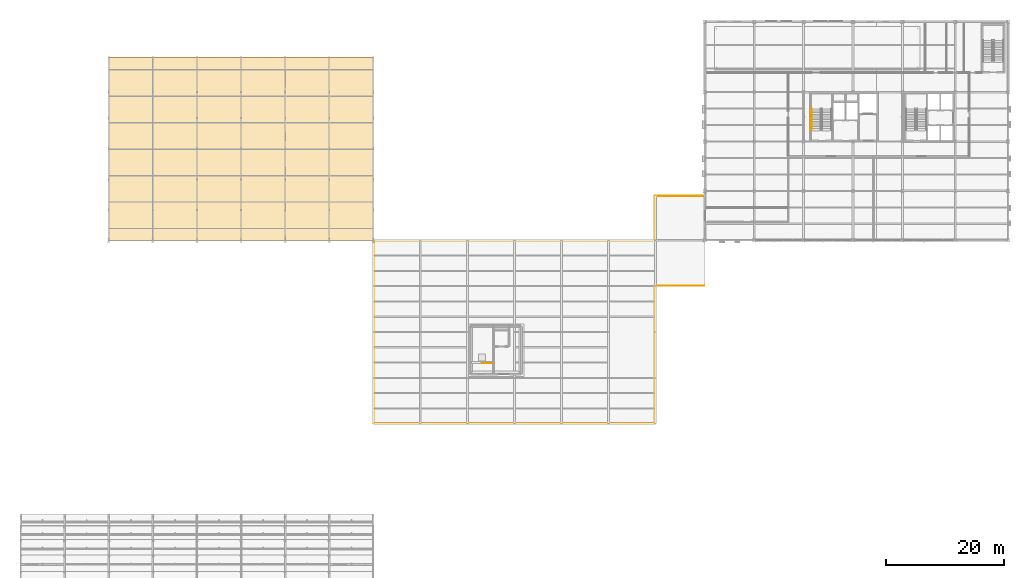
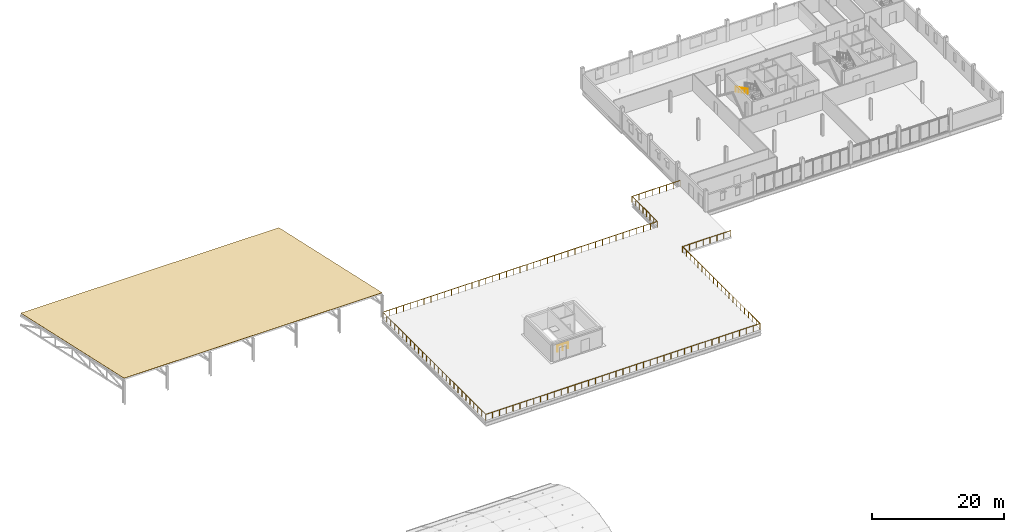
# One storey, part 74 of 77: 3 railings, 1 covering.
"""IFC4 building model written with IfcOpenShell, lengths in metres."""

from ifc_helpers import new_model, si_unit, direction, frame, origin, origin_2d, place, context, subcontext, project, spatial, polyline, circle, outline, extrude, material, layer, layer_set, type_object, element, save


model = new_model("IFC4")

# Units and contexts
model_context = context("Model", 3, precision=1e-05, world=origin(), true_north=direction((0.0, 1.0)))
body_context = subcontext(model_context, "Body", "Model", "MODEL_VIEW")
ifc_project = project(units=[si_unit("LENGTHUNIT", "METRE"), si_unit("AREAUNIT", "SQUARE_METRE"), si_unit("VOLUMEUNIT", "CUBIC_METRE"), si_unit("PLANEANGLEUNIT", "RADIAN"), si_unit("MASSUNIT", "GRAM", prefix="KILO")], contexts=[model_context])

# Site, building, storey
site_placement = place(None, origin())
site = spatial("IfcSite", under=ifc_project, at=site_placement, CompositionType="ELEMENT")
building_placement = place(site_placement, origin())
building = spatial("IfcBuilding", under=site, at=building_placement, Name="Yukiwa Park Conservatory and Herbarium", CompositionType="ELEMENT")
storey_placement = place(building_placement, frame((0.0, 0.0, 13.199951171875)))
storey = spatial("IfcBuildingStorey", under=building, at=storey_placement, Name="L03", CompositionType="ELEMENT", Elevation=13.199951171875)

# Covering
ifc_material_1 = material(Name="Roofing Membrane and PIR Insulation")
ifc_layer_1 = layer(ifc_material_1, 0.0400390625)
ifc_layer_set_1 = layer_set([ifc_layer_1], Name="Roofing Membrane and PIR Insulation")
covering_type = type_object("IfcCoveringType", Name="COV-ROOF-MEMBRANE", PredefinedType="ROOFING", material=ifc_layer_set_1)
covering_placement = place(storey_placement, frame((15.0, 78.0, 4.6728515625), z_axis=(0.0, 0.21643619583, 0.97629676489), x_axis=(1.0, 0.0, 0.0)))
element("IfcCovering", 1, at=covering_placement, inside=storey, type_object=covering_type, Name="Auditorium Wing insulated standing-seam roof covering", PredefinedType="ROOFING", context=body_context, shape_type="SweptSolid", body=[
    extrude(outline(polyline([(0.0, 0.0), (45.0, 0.0), (45.0, 31.957446028607063), (0.0, 31.957446028607063), (0.0, 0.0)])), origin(), (0.0, 0.0, -1.0), 0.0400390625),
])

# Railings
ifc_material_2 = material(Name="Steel Q235B", Category="steel")
ifc_layer_2 = layer(ifc_material_2, 0.050048828125)
ifc_layer_set_2 = layer_set([ifc_layer_2], Name="Steel Q235B")
railing_type_1 = type_object("IfcRailingType", Name="RL-STAIR-GUARD-1120", PredefinedType="BALUSTRADE", material=ifc_layer_set_2)
railing_1_placement = place(storey_placement, frame((80.35009765625, 57.10009765625, 0.0)))
element("IfcRailing", 2, at=railing_1_placement, inside=storey, type_object=railing_type_1, Name="L03 ST-V1 top well guard 1", PredefinedType="BALUSTRADE", context=body_context, shape_type="SweptSolid", body=[
    extrude(circle(Radius=0.02392578125, at=origin_2d()), frame((0.0, 0.0, 1.09619140625), z_axis=(-1.0, 0.0, 0.0), x_axis=(0.0, -1.0, 0.0)), (0.0, 0.0, 1.0), 1.85009765625),
    extrude(circle(Radius=0.02099609375, at=origin_2d()), origin(), (0.0, 0.0, 1.0), 1.072021484375),
    extrude(circle(Radius=0.02099609375, at=origin_2d()), frame((-0.925048828125, 0.0, 0.0)), (0.0, 0.0, 1.0), 1.072021484375),
    extrude(circle(Radius=0.02099609375, at=origin_2d()), frame((-1.85009765625, 0.0, 0.0)), (0.0, 0.0, 1.0), 1.072021484375),
])
ifc_material_3 = material(Name="Steel Q235B", Category="steel")
ifc_layer_3 = layer(ifc_material_3, 0.044921875)
ifc_layer_set_3 = layer_set([ifc_layer_3], Name="Steel Q235B")
railing_type_2 = type_object("IfcRailingType", Name="RL-STAIR-RAIL-900", PredefinedType="HANDRAIL", material=ifc_layer_set_3)
railing_2_placement = place(storey_placement, frame((134.5400390625, 100.330078125, 2.10009765625)))
element("IfcRailing", 3, at=railing_2_placement, inside=storey, type_object=railing_type_2, Name="L03 ST-T1 stair handrail 2", PredefinedType="HANDRAIL", context=body_context, shape_type="SweptSolid", body=[
    extrude(circle(Radius=0.02392578125, at=origin_2d()), frame((0.0, 0.0, 0.8759765625), z_axis=(0.0, -0.894427191, 0.4472135955), x_axis=(1.0, 0.0, 0.0)), (0.0, 0.0, 1.0), 4.025146484375),
    extrude(circle(Radius=0.02099609375, at=origin_2d()), origin(), (0.0, 0.0, 1.0), 0.851806640625),
    extrude(circle(Radius=0.02099609375, at=origin_2d()), frame((0.0, -0.89990234375, 0.449951171875)), (0.0, 0.0, 1.0), 0.851806640625),
    extrude(circle(Radius=0.02099609375, at=origin_2d()), frame((0.0, -1.800048828125, 0.89990234375)), (0.0, 0.0, 1.0), 0.851806640625),
    extrude(circle(Radius=0.02099609375, at=origin_2d()), frame((0.0, -2.7001953125, 1.35009765625)), (0.0, 0.0, 1.0), 0.851806640625),
    extrude(circle(Radius=0.02099609375, at=origin_2d()), frame((0.0, -3.60009765625, 1.800048828125)), (0.0, 0.0, 1.0), 0.851806640625),
])
ifc_material_4 = material(Name="Steel Q235B", Category="steel")
ifc_layer_4 = layer(ifc_material_4, 0.06005859375)
ifc_layer_set_4 = layer_set([ifc_layer_4], Name="Steel Q235B")
railing_type_3 = type_object("IfcRailingType", Name="RL-TERRACE-GUARD-1120", PredefinedType="BALUSTRADE", material=ifc_layer_set_4)
railing_3_placement = place(storey_placement, frame((116.300048828125, 85.52001953125, 0.0)))
element("IfcRailing", 4, at=railing_3_placement, inside=storey, type_object=railing_type_3, Name="L03 outdoor terrace guard balustrade RL-TER-L03-MAIN", PredefinedType="BALUSTRADE", context=body_context, shape_type="SweptSolid", body=[
    extrude(circle(Radius=0.02392578125, at=origin_2d()), frame((0.0, 0.0, 1.09619140625), z_axis=(-1.0, 0.0, 0.0), x_axis=(0.0, -1.0, 0.0)), (0.0, 0.0, 1.0), 8.380126953125),
    extrude(circle(Radius=0.02392578125, at=origin_2d()), frame((-8.380126953125, 0.0, 1.09619140625), z_axis=(0.0, -1.0, 0.0), x_axis=(1.0, 0.0, 0.0)), (0.0, 0.0, 1.0), 7.60009765625),
    extrude(circle(Radius=0.02392578125, at=origin_2d()), frame((-8.380126953125, -7.60009765625, 1.09619140625), z_axis=(-1.0, 0.0, 0.0), x_axis=(0.0, -1.0, 0.0)), (0.0, 0.0, 1.0), 47.83984375),
    extrude(circle(Radius=0.02392578125, at=origin_2d()), frame((-56.219970703125, -7.60009765625, 1.09619140625), z_axis=(0.0, -1.0, 0.0), x_axis=(1.0, 0.0, 0.0)), (0.0, 0.0, 1.0), 31.0400390625),
    extrude(circle(Radius=0.02392578125, at=origin_2d()), frame((-56.219970703125, -38.64013671875, 1.09619140625), z_axis=(1.0, 0.0, 0.0), x_axis=(0.0, 1.0, 0.0)), (0.0, 0.0, 1.0), 47.83984375),
    extrude(circle(Radius=0.02392578125, at=origin_2d()), frame((-8.380126953125, -38.64013671875, 1.09619140625), z_axis=(0.0, 1.0, 0.0), x_axis=(-1.0, 0.0, 0.0)), (0.0, 0.0, 1.0), 23.400146484375),
    extrude(circle(Radius=0.02392578125, at=origin_2d()), frame((-8.380126953125, -15.239990234375, 1.09619140625), z_axis=(1.0, 0.0, 0.0), x_axis=(0.0, 1.0, 0.0)), (0.0, 0.0, 1.0), 8.380126953125),
    extrude(circle(Radius=0.02099609375, at=origin_2d()), origin(), (0.0, 0.0, 1.0), 1.072021484375),
    extrude(circle(Radius=0.02099609375, at=origin_2d()), frame((-1.197265625, 0.0, 0.0)), (0.0, 0.0, 1.0), 1.072021484375),
    extrude(circle(Radius=0.02099609375, at=origin_2d()), frame((-2.394287109375, 0.0, 0.0)), (0.0, 0.0, 1.0), 1.072021484375),
    extrude(circle(Radius=0.02099609375, at=origin_2d()), frame((-3.591552734375, 0.0, 0.0)), (0.0, 0.0, 1.0), 1.072021484375),
    extrude(circle(Radius=0.02099609375, at=origin_2d()), frame((-4.78857421875, 0.0, 0.0)), (0.0, 0.0, 1.0), 1.072021484375),
    extrude(circle(Radius=0.02099609375, at=origin_2d()), frame((-5.98583984375, 0.0, 0.0)), (0.0, 0.0, 1.0), 1.072021484375),
    extrude(circle(Radius=0.02099609375, at=origin_2d()), frame((-7.182861328125, 0.0, 0.0)), (0.0, 0.0, 1.0), 1.072021484375),
    extrude(circle(Radius=0.02099609375, at=origin_2d()), frame((-8.380126953125, 0.0, 0.0)), (0.0, 0.0, 1.0), 1.072021484375),
    extrude(circle(Radius=0.02099609375, at=origin_2d()), frame((-8.380126953125, -1.085693359375, 0.0)), (0.0, 0.0, 1.0), 1.072021484375),
    extrude(circle(Radius=0.02099609375, at=origin_2d()), frame((-8.380126953125, -2.17138671875, 0.0)), (0.0, 0.0, 1.0), 1.072021484375),
    extrude(circle(Radius=0.02099609375, at=origin_2d()), frame((-8.380126953125, -3.257080078125, 0.0)), (0.0, 0.0, 1.0), 1.072021484375),
    extrude(circle(Radius=0.02099609375, at=origin_2d()), frame((-8.380126953125, -4.343017578125, 0.0)), (0.0, 0.0, 1.0), 1.072021484375),
    extrude(circle(Radius=0.02099609375, at=origin_2d()), frame((-8.380126953125, -5.4287109375, 0.0)), (0.0, 0.0, 1.0), 1.072021484375),
    extrude(circle(Radius=0.02099609375, at=origin_2d()), frame((-8.380126953125, -6.514404296875, 0.0)), (0.0, 0.0, 1.0), 1.072021484375),
    extrude(circle(Radius=0.02099609375, at=origin_2d()), frame((-8.380126953125, -7.60009765625, 0.0)), (0.0, 0.0, 1.0), 1.072021484375),
    extrude(circle(Radius=0.02099609375, at=origin_2d()), frame((-9.576171875, -7.60009765625, 0.0)), (0.0, 0.0, 1.0), 1.072021484375),
    extrude(circle(Radius=0.02099609375, at=origin_2d()), frame((-10.772216796875, -7.60009765625, 0.0)), (0.0, 0.0, 1.0), 1.072021484375),
    extrude(circle(Radius=0.02099609375, at=origin_2d()), frame((-11.968017578125, -7.60009765625, 0.0)), (0.0, 0.0, 1.0), 1.072021484375),
    extrude(circle(Radius=0.02099609375, at=origin_2d()), frame((-13.1640625, -7.60009765625, 0.0)), (0.0, 0.0, 1.0), 1.072021484375),
    extrude(circle(Radius=0.02099609375, at=origin_2d()), frame((-14.360107421875, -7.60009765625, 0.0)), (0.0, 0.0, 1.0), 1.072021484375),
    extrude(circle(Radius=0.02099609375, at=origin_2d()), frame((-15.55615234375, -7.60009765625, 0.0)), (0.0, 0.0, 1.0), 1.072021484375),
    extrude(circle(Radius=0.02099609375, at=origin_2d()), frame((-16.752197265625, -7.60009765625, 0.0)), (0.0, 0.0, 1.0), 1.072021484375),
    extrude(circle(Radius=0.02099609375, at=origin_2d()), frame((-17.947998046875, -7.60009765625, 0.0)), (0.0, 0.0, 1.0), 1.072021484375),
    extrude(circle(Radius=0.02099609375, at=origin_2d()), frame((-19.14404296875, -7.60009765625, 0.0)), (0.0, 0.0, 1.0), 1.072021484375),
    extrude(circle(Radius=0.02099609375, at=origin_2d()), frame((-20.340087890625, -7.60009765625, 0.0)), (0.0, 0.0, 1.0), 1.072021484375),
    extrude(circle(Radius=0.02099609375, at=origin_2d()), frame((-21.5361328125, -7.60009765625, 0.0)), (0.0, 0.0, 1.0), 1.072021484375),
    extrude(circle(Radius=0.02099609375, at=origin_2d()), frame((-22.732177734375, -7.60009765625, 0.0)), (0.0, 0.0, 1.0), 1.072021484375),
    extrude(circle(Radius=0.02099609375, at=origin_2d()), frame((-23.927978515625, -7.60009765625, 0.0)), (0.0, 0.0, 1.0), 1.072021484375),
    extrude(circle(Radius=0.02099609375, at=origin_2d()), frame((-25.1240234375, -7.60009765625, 0.0)), (0.0, 0.0, 1.0), 1.072021484375),
    extrude(circle(Radius=0.02099609375, at=origin_2d()), frame((-26.320068359375, -7.60009765625, 0.0)), (0.0, 0.0, 1.0), 1.072021484375),
    extrude(circle(Radius=0.02099609375, at=origin_2d()), frame((-27.51611328125, -7.60009765625, 0.0)), (0.0, 0.0, 1.0), 1.072021484375),
    extrude(circle(Radius=0.02099609375, at=origin_2d()), frame((-28.712158203125, -7.60009765625, 0.0)), (0.0, 0.0, 1.0), 1.072021484375),
    extrude(circle(Radius=0.02099609375, at=origin_2d()), frame((-29.907958984375, -7.60009765625, 0.0)), (0.0, 0.0, 1.0), 1.072021484375),
    extrude(circle(Radius=0.02099609375, at=origin_2d()), frame((-31.10400390625, -7.60009765625, 0.0)), (0.0, 0.0, 1.0), 1.072021484375),
    extrude(circle(Radius=0.02099609375, at=origin_2d()), frame((-32.300048828125, -7.60009765625, 0.0)), (0.0, 0.0, 1.0), 1.072021484375),
    extrude(circle(Radius=0.02099609375, at=origin_2d()), frame((-33.49609375, -7.60009765625, 0.0)), (0.0, 0.0, 1.0), 1.072021484375),
    extrude(circle(Radius=0.02099609375, at=origin_2d()), frame((-34.692138671875, -7.60009765625, 0.0)), (0.0, 0.0, 1.0), 1.072021484375),
    extrude(circle(Radius=0.02099609375, at=origin_2d()), frame((-35.887939453125, -7.60009765625, 0.0)), (0.0, 0.0, 1.0), 1.072021484375),
    extrude(circle(Radius=0.02099609375, at=origin_2d()), frame((-37.083984375, -7.60009765625, 0.0)), (0.0, 0.0, 1.0), 1.072021484375),
    extrude(circle(Radius=0.02099609375, at=origin_2d()), frame((-38.280029296875, -7.60009765625, 0.0)), (0.0, 0.0, 1.0), 1.072021484375),
    extrude(circle(Radius=0.02099609375, at=origin_2d()), frame((-39.47607421875, -7.60009765625, 0.0)), (0.0, 0.0, 1.0), 1.072021484375),
    extrude(circle(Radius=0.02099609375, at=origin_2d()), frame((-40.672119140625, -7.60009765625, 0.0)), (0.0, 0.0, 1.0), 1.072021484375),
    extrude(circle(Radius=0.02099609375, at=origin_2d()), frame((-41.867919921875, -7.60009765625, 0.0)), (0.0, 0.0, 1.0), 1.072021484375),
    extrude(circle(Radius=0.02099609375, at=origin_2d()), frame((-43.06396484375, -7.60009765625, 0.0)), (0.0, 0.0, 1.0), 1.072021484375),
    extrude(circle(Radius=0.02099609375, at=origin_2d()), frame((-44.260009765625, -7.60009765625, 0.0)), (0.0, 0.0, 1.0), 1.072021484375),
    extrude(circle(Radius=0.02099609375, at=origin_2d()), frame((-45.4560546875, -7.60009765625, 0.0)), (0.0, 0.0, 1.0), 1.072021484375),
    extrude(circle(Radius=0.02099609375, at=origin_2d()), frame((-46.652099609375, -7.60009765625, 0.0)), (0.0, 0.0, 1.0), 1.072021484375),
    extrude(circle(Radius=0.02099609375, at=origin_2d()), frame((-47.847900390625, -7.60009765625, 0.0)), (0.0, 0.0, 1.0), 1.072021484375),
    extrude(circle(Radius=0.02099609375, at=origin_2d()), frame((-49.0439453125, -7.60009765625, 0.0)), (0.0, 0.0, 1.0), 1.072021484375),
    extrude(circle(Radius=0.02099609375, at=origin_2d()), frame((-50.239990234375, -7.60009765625, 0.0)), (0.0, 0.0, 1.0), 1.072021484375),
    extrude(circle(Radius=0.02099609375, at=origin_2d()), frame((-51.43603515625, -7.60009765625, 0.0)), (0.0, 0.0, 1.0), 1.072021484375),
    extrude(circle(Radius=0.02099609375, at=origin_2d()), frame((-52.632080078125, -7.60009765625, 0.0)), (0.0, 0.0, 1.0), 1.072021484375),
    extrude(circle(Radius=0.02099609375, at=origin_2d()), frame((-53.827880859375, -7.60009765625, 0.0)), (0.0, 0.0, 1.0), 1.072021484375),
    extrude(circle(Radius=0.02099609375, at=origin_2d()), frame((-55.02392578125, -7.60009765625, 0.0)), (0.0, 0.0, 1.0), 1.072021484375),
    extrude(circle(Radius=0.02099609375, at=origin_2d()), frame((-56.219970703125, -7.60009765625, 0.0)), (0.0, 0.0, 1.0), 1.072021484375),
    extrude(circle(Radius=0.02099609375, at=origin_2d()), frame((-56.219970703125, -8.7939453125, 0.0)), (0.0, 0.0, 1.0), 1.072021484375),
    extrude(circle(Radius=0.02099609375, at=origin_2d()), frame((-56.219970703125, -9.98779296875, 0.0)), (0.0, 0.0, 1.0), 1.072021484375),
    extrude(circle(Radius=0.02099609375, at=origin_2d()), frame((-56.219970703125, -11.181640625, 0.0)), (0.0, 0.0, 1.0), 1.072021484375),
    extrude(circle(Radius=0.02099609375, at=origin_2d()), frame((-56.219970703125, -12.37548828125, 0.0)), (0.0, 0.0, 1.0), 1.072021484375),
    extrude(circle(Radius=0.02099609375, at=origin_2d()), frame((-56.219970703125, -13.5693359375, 0.0)), (0.0, 0.0, 1.0), 1.072021484375),
    extrude(circle(Radius=0.02099609375, at=origin_2d()), frame((-56.219970703125, -14.76318359375, 0.0)), (0.0, 0.0, 1.0), 1.072021484375),
    extrude(circle(Radius=0.02099609375, at=origin_2d()), frame((-56.219970703125, -15.95703125, 0.0)), (0.0, 0.0, 1.0), 1.072021484375),
    extrude(circle(Radius=0.02099609375, at=origin_2d()), frame((-56.219970703125, -17.15087890625, 0.0)), (0.0, 0.0, 1.0), 1.072021484375),
    extrude(circle(Radius=0.02099609375, at=origin_2d()), frame((-56.219970703125, -18.3447265625, 0.0)), (0.0, 0.0, 1.0), 1.072021484375),
    extrude(circle(Radius=0.02099609375, at=origin_2d()), frame((-56.219970703125, -19.53857421875, 0.0)), (0.0, 0.0, 1.0), 1.072021484375),
    extrude(circle(Radius=0.02099609375, at=origin_2d()), frame((-56.219970703125, -20.732421875, 0.0)), (0.0, 0.0, 1.0), 1.072021484375),
    extrude(circle(Radius=0.02099609375, at=origin_2d()), frame((-56.219970703125, -21.92626953125, 0.0)), (0.0, 0.0, 1.0), 1.072021484375),
    extrude(circle(Radius=0.02099609375, at=origin_2d()), frame((-56.219970703125, -23.1201171875, 0.0)), (0.0, 0.0, 1.0), 1.072021484375),
    extrude(circle(Radius=0.02099609375, at=origin_2d()), frame((-56.219970703125, -24.31396484375, 0.0)), (0.0, 0.0, 1.0), 1.072021484375),
    extrude(circle(Radius=0.02099609375, at=origin_2d()), frame((-56.219970703125, -25.5078125, 0.0)), (0.0, 0.0, 1.0), 1.072021484375),
    extrude(circle(Radius=0.02099609375, at=origin_2d()), frame((-56.219970703125, -26.70166015625, 0.0)), (0.0, 0.0, 1.0), 1.072021484375),
    extrude(circle(Radius=0.02099609375, at=origin_2d()), frame((-56.219970703125, -27.8955078125, 0.0)), (0.0, 0.0, 1.0), 1.072021484375),
    extrude(circle(Radius=0.02099609375, at=origin_2d()), frame((-56.219970703125, -29.08935546875, 0.0)), (0.0, 0.0, 1.0), 1.072021484375),
    extrude(circle(Radius=0.02099609375, at=origin_2d()), frame((-56.219970703125, -30.283203125, 0.0)), (0.0, 0.0, 1.0), 1.072021484375),
    extrude(circle(Radius=0.02099609375, at=origin_2d()), frame((-56.219970703125, -31.47705078125, 0.0)), (0.0, 0.0, 1.0), 1.072021484375),
    extrude(circle(Radius=0.02099609375, at=origin_2d()), frame((-56.219970703125, -32.6708984375, 0.0)), (0.0, 0.0, 1.0), 1.072021484375),
    extrude(circle(Radius=0.02099609375, at=origin_2d()), frame((-56.219970703125, -33.86474609375, 0.0)), (0.0, 0.0, 1.0), 1.072021484375),
    extrude(circle(Radius=0.02099609375, at=origin_2d()), frame((-56.219970703125, -35.05859375, 0.0)), (0.0, 0.0, 1.0), 1.072021484375),
    extrude(circle(Radius=0.02099609375, at=origin_2d()), frame((-56.219970703125, -36.25244140625, 0.0)), (0.0, 0.0, 1.0), 1.072021484375),
    extrude(circle(Radius=0.02099609375, at=origin_2d()), frame((-56.219970703125, -37.4462890625, 0.0)), (0.0, 0.0, 1.0), 1.072021484375),
    extrude(circle(Radius=0.02099609375, at=origin_2d()), frame((-56.219970703125, -38.64013671875, 0.0)), (0.0, 0.0, 1.0), 1.072021484375),
    extrude(circle(Radius=0.02099609375, at=origin_2d()), frame((-55.02392578125, -38.64013671875, 0.0)), (0.0, 0.0, 1.0), 1.072021484375),
    extrude(circle(Radius=0.02099609375, at=origin_2d()), frame((-53.827880859375, -38.64013671875, 0.0)), (0.0, 0.0, 1.0), 1.072021484375),
    extrude(circle(Radius=0.02099609375, at=origin_2d()), frame((-52.632080078125, -38.64013671875, 0.0)), (0.0, 0.0, 1.0), 1.072021484375),
    extrude(circle(Radius=0.02099609375, at=origin_2d()), frame((-51.43603515625, -38.64013671875, 0.0)), (0.0, 0.0, 1.0), 1.072021484375),
    extrude(circle(Radius=0.02099609375, at=origin_2d()), frame((-50.239990234375, -38.64013671875, 0.0)), (0.0, 0.0, 1.0), 1.072021484375),
    extrude(circle(Radius=0.02099609375, at=origin_2d()), frame((-49.0439453125, -38.64013671875, 0.0)), (0.0, 0.0, 1.0), 1.072021484375),
    extrude(circle(Radius=0.02099609375, at=origin_2d()), frame((-47.847900390625, -38.64013671875, 0.0)), (0.0, 0.0, 1.0), 1.072021484375),
    extrude(circle(Radius=0.02099609375, at=origin_2d()), frame((-46.652099609375, -38.64013671875, 0.0)), (0.0, 0.0, 1.0), 1.072021484375),
    extrude(circle(Radius=0.02099609375, at=origin_2d()), frame((-45.4560546875, -38.64013671875, 0.0)), (0.0, 0.0, 1.0), 1.072021484375),
    extrude(circle(Radius=0.02099609375, at=origin_2d()), frame((-44.260009765625, -38.64013671875, 0.0)), (0.0, 0.0, 1.0), 1.072021484375),
    extrude(circle(Radius=0.02099609375, at=origin_2d()), frame((-43.06396484375, -38.64013671875, 0.0)), (0.0, 0.0, 1.0), 1.072021484375),
    extrude(circle(Radius=0.02099609375, at=origin_2d()), frame((-41.867919921875, -38.64013671875, 0.0)), (0.0, 0.0, 1.0), 1.072021484375),
    extrude(circle(Radius=0.02099609375, at=origin_2d()), frame((-40.672119140625, -38.64013671875, 0.0)), (0.0, 0.0, 1.0), 1.072021484375),
    extrude(circle(Radius=0.02099609375, at=origin_2d()), frame((-39.47607421875, -38.64013671875, 0.0)), (0.0, 0.0, 1.0), 1.072021484375),
    extrude(circle(Radius=0.02099609375, at=origin_2d()), frame((-38.280029296875, -38.64013671875, 0.0)), (0.0, 0.0, 1.0), 1.072021484375),
    extrude(circle(Radius=0.02099609375, at=origin_2d()), frame((-37.083984375, -38.64013671875, 0.0)), (0.0, 0.0, 1.0), 1.072021484375),
    extrude(circle(Radius=0.02099609375, at=origin_2d()), frame((-35.887939453125, -38.64013671875, 0.0)), (0.0, 0.0, 1.0), 1.072021484375),
    extrude(circle(Radius=0.02099609375, at=origin_2d()), frame((-34.692138671875, -38.64013671875, 0.0)), (0.0, 0.0, 1.0), 1.072021484375),
    extrude(circle(Radius=0.02099609375, at=origin_2d()), frame((-33.49609375, -38.64013671875, 0.0)), (0.0, 0.0, 1.0), 1.072021484375),
    extrude(circle(Radius=0.02099609375, at=origin_2d()), frame((-32.300048828125, -38.64013671875, 0.0)), (0.0, 0.0, 1.0), 1.072021484375),
    extrude(circle(Radius=0.02099609375, at=origin_2d()), frame((-31.10400390625, -38.64013671875, 0.0)), (0.0, 0.0, 1.0), 1.072021484375),
    extrude(circle(Radius=0.02099609375, at=origin_2d()), frame((-29.907958984375, -38.64013671875, 0.0)), (0.0, 0.0, 1.0), 1.072021484375),
    extrude(circle(Radius=0.02099609375, at=origin_2d()), frame((-28.712158203125, -38.64013671875, 0.0)), (0.0, 0.0, 1.0), 1.072021484375),
    extrude(circle(Radius=0.02099609375, at=origin_2d()), frame((-27.51611328125, -38.64013671875, 0.0)), (0.0, 0.0, 1.0), 1.072021484375),
    extrude(circle(Radius=0.02099609375, at=origin_2d()), frame((-26.320068359375, -38.64013671875, 0.0)), (0.0, 0.0, 1.0), 1.072021484375),
    extrude(circle(Radius=0.02099609375, at=origin_2d()), frame((-25.1240234375, -38.64013671875, 0.0)), (0.0, 0.0, 1.0), 1.072021484375),
    extrude(circle(Radius=0.02099609375, at=origin_2d()), frame((-23.927978515625, -38.64013671875, 0.0)), (0.0, 0.0, 1.0), 1.072021484375),
    extrude(circle(Radius=0.02099609375, at=origin_2d()), frame((-22.732177734375, -38.64013671875, 0.0)), (0.0, 0.0, 1.0), 1.072021484375),
    extrude(circle(Radius=0.02099609375, at=origin_2d()), frame((-21.5361328125, -38.64013671875, 0.0)), (0.0, 0.0, 1.0), 1.072021484375),
    extrude(circle(Radius=0.02099609375, at=origin_2d()), frame((-20.340087890625, -38.64013671875, 0.0)), (0.0, 0.0, 1.0), 1.072021484375),
    extrude(circle(Radius=0.02099609375, at=origin_2d()), frame((-19.14404296875, -38.64013671875, 0.0)), (0.0, 0.0, 1.0), 1.072021484375),
    extrude(circle(Radius=0.02099609375, at=origin_2d()), frame((-17.947998046875, -38.64013671875, 0.0)), (0.0, 0.0, 1.0), 1.072021484375),
    extrude(circle(Radius=0.02099609375, at=origin_2d()), frame((-16.752197265625, -38.64013671875, 0.0)), (0.0, 0.0, 1.0), 1.072021484375),
    extrude(circle(Radius=0.02099609375, at=origin_2d()), frame((-15.55615234375, -38.64013671875, 0.0)), (0.0, 0.0, 1.0), 1.072021484375),
    extrude(circle(Radius=0.02099609375, at=origin_2d()), frame((-14.360107421875, -38.64013671875, 0.0)), (0.0, 0.0, 1.0), 1.072021484375),
    extrude(circle(Radius=0.02099609375, at=origin_2d()), frame((-13.1640625, -38.64013671875, 0.0)), (0.0, 0.0, 1.0), 1.072021484375),
    extrude(circle(Radius=0.02099609375, at=origin_2d()), frame((-11.968017578125, -38.64013671875, 0.0)), (0.0, 0.0, 1.0), 1.072021484375),
    extrude(circle(Radius=0.02099609375, at=origin_2d()), frame((-10.772216796875, -38.64013671875, 0.0)), (0.0, 0.0, 1.0), 1.072021484375),
    extrude(circle(Radius=0.02099609375, at=origin_2d()), frame((-9.576171875, -38.64013671875, 0.0)), (0.0, 0.0, 1.0), 1.072021484375),
    extrude(circle(Radius=0.02099609375, at=origin_2d()), frame((-8.380126953125, -38.64013671875, 0.0)), (0.0, 0.0, 1.0), 1.072021484375),
    extrude(circle(Radius=0.02099609375, at=origin_2d()), frame((-8.380126953125, -37.47021484375, 0.0)), (0.0, 0.0, 1.0), 1.072021484375),
    extrude(circle(Radius=0.02099609375, at=origin_2d()), frame((-8.380126953125, -36.300048828125, 0.0)), (0.0, 0.0, 1.0), 1.072021484375),
    extrude(circle(Radius=0.02099609375, at=origin_2d()), frame((-8.380126953125, -35.130126953125, 0.0)), (0.0, 0.0, 1.0), 1.072021484375),
    extrude(circle(Radius=0.02099609375, at=origin_2d()), frame((-8.380126953125, -33.960205078125, 0.0)), (0.0, 0.0, 1.0), 1.072021484375),
    extrude(circle(Radius=0.02099609375, at=origin_2d()), frame((-8.380126953125, -32.7900390625, 0.0)), (0.0, 0.0, 1.0), 1.072021484375),
    extrude(circle(Radius=0.02099609375, at=origin_2d()), frame((-8.380126953125, -31.6201171875, 0.0)), (0.0, 0.0, 1.0), 1.072021484375),
    extrude(circle(Radius=0.02099609375, at=origin_2d()), frame((-8.380126953125, -30.4501953125, 0.0)), (0.0, 0.0, 1.0), 1.072021484375),
    extrude(circle(Radius=0.02099609375, at=origin_2d()), frame((-8.380126953125, -29.280029296875, 0.0)), (0.0, 0.0, 1.0), 1.072021484375),
    extrude(circle(Radius=0.02099609375, at=origin_2d()), frame((-8.380126953125, -28.110107421875, 0.0)), (0.0, 0.0, 1.0), 1.072021484375),
    extrude(circle(Radius=0.02099609375, at=origin_2d()), frame((-8.380126953125, -26.93994140625, 0.0)), (0.0, 0.0, 1.0), 1.072021484375),
    extrude(circle(Radius=0.02099609375, at=origin_2d()), frame((-8.380126953125, -25.77001953125, 0.0)), (0.0, 0.0, 1.0), 1.072021484375),
    extrude(circle(Radius=0.02099609375, at=origin_2d()), frame((-8.380126953125, -24.60009765625, 0.0)), (0.0, 0.0, 1.0), 1.072021484375),
    extrude(circle(Radius=0.02099609375, at=origin_2d()), frame((-8.380126953125, -23.429931640625, 0.0)), (0.0, 0.0, 1.0), 1.072021484375),
    extrude(circle(Radius=0.02099609375, at=origin_2d()), frame((-8.380126953125, -22.260009765625, 0.0)), (0.0, 0.0, 1.0), 1.072021484375),
    extrude(circle(Radius=0.02099609375, at=origin_2d()), frame((-8.380126953125, -21.090087890625, 0.0)), (0.0, 0.0, 1.0), 1.072021484375),
    extrude(circle(Radius=0.02099609375, at=origin_2d()), frame((-8.380126953125, -19.919921875, 0.0)), (0.0, 0.0, 1.0), 1.072021484375),
    extrude(circle(Radius=0.02099609375, at=origin_2d()), frame((-8.380126953125, -18.75, 0.0)), (0.0, 0.0, 1.0), 1.072021484375),
    extrude(circle(Radius=0.02099609375, at=origin_2d()), frame((-8.380126953125, -17.580078125, 0.0)), (0.0, 0.0, 1.0), 1.072021484375),
    extrude(circle(Radius=0.02099609375, at=origin_2d()), frame((-8.380126953125, -16.409912109375, 0.0)), (0.0, 0.0, 1.0), 1.072021484375),
    extrude(circle(Radius=0.02099609375, at=origin_2d()), frame((-8.380126953125, -15.239990234375, 0.0)), (0.0, 0.0, 1.0), 1.072021484375),
    extrude(circle(Radius=0.02099609375, at=origin_2d()), frame((-7.182861328125, -15.239990234375, 0.0)), (0.0, 0.0, 1.0), 1.072021484375),
    extrude(circle(Radius=0.02099609375, at=origin_2d()), frame((-5.98583984375, -15.239990234375, 0.0)), (0.0, 0.0, 1.0), 1.072021484375),
    extrude(circle(Radius=0.02099609375, at=origin_2d()), frame((-4.78857421875, -15.239990234375, 0.0)), (0.0, 0.0, 1.0), 1.072021484375),
    extrude(circle(Radius=0.02099609375, at=origin_2d()), frame((-3.591552734375, -15.239990234375, 0.0)), (0.0, 0.0, 1.0), 1.072021484375),
    extrude(circle(Radius=0.02099609375, at=origin_2d()), frame((-2.394287109375, -15.239990234375, 0.0)), (0.0, 0.0, 1.0), 1.072021484375),
    extrude(circle(Radius=0.02099609375, at=origin_2d()), frame((-1.197265625, -15.239990234375, 0.0)), (0.0, 0.0, 1.0), 1.072021484375),
    extrude(circle(Radius=0.02099609375, at=origin_2d()), frame((0.0, -15.239990234375, 0.0)), (0.0, 0.0, 1.0), 1.072021484375),
])

save(model, "model.ifc")
